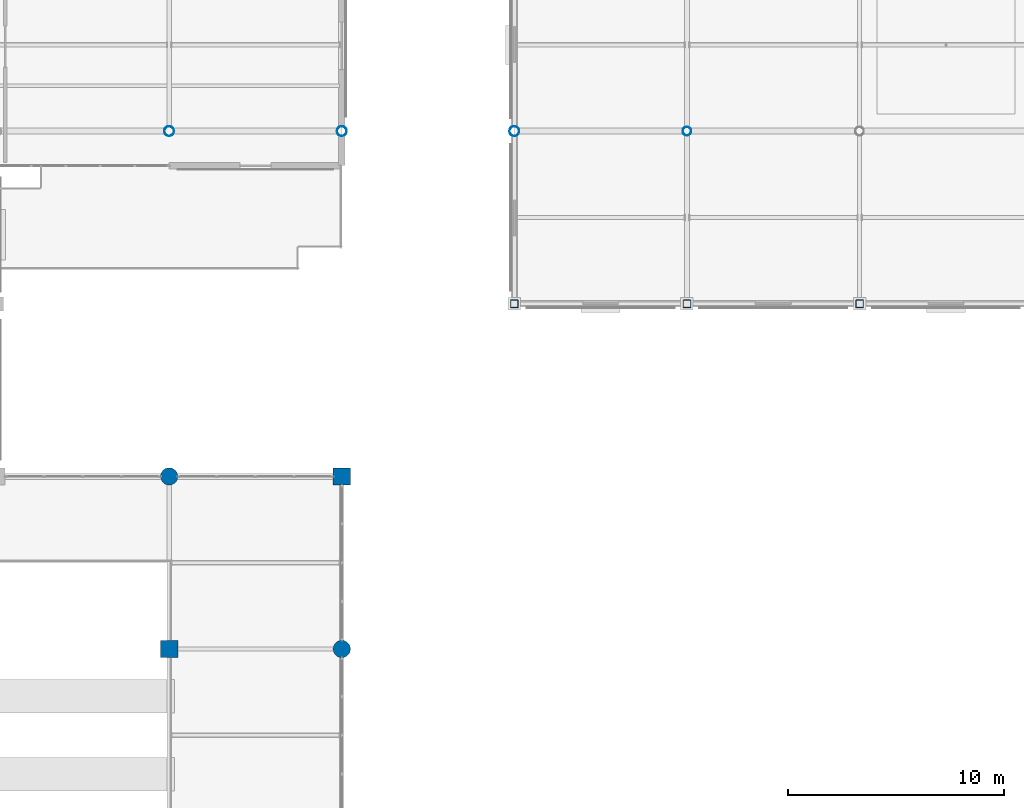
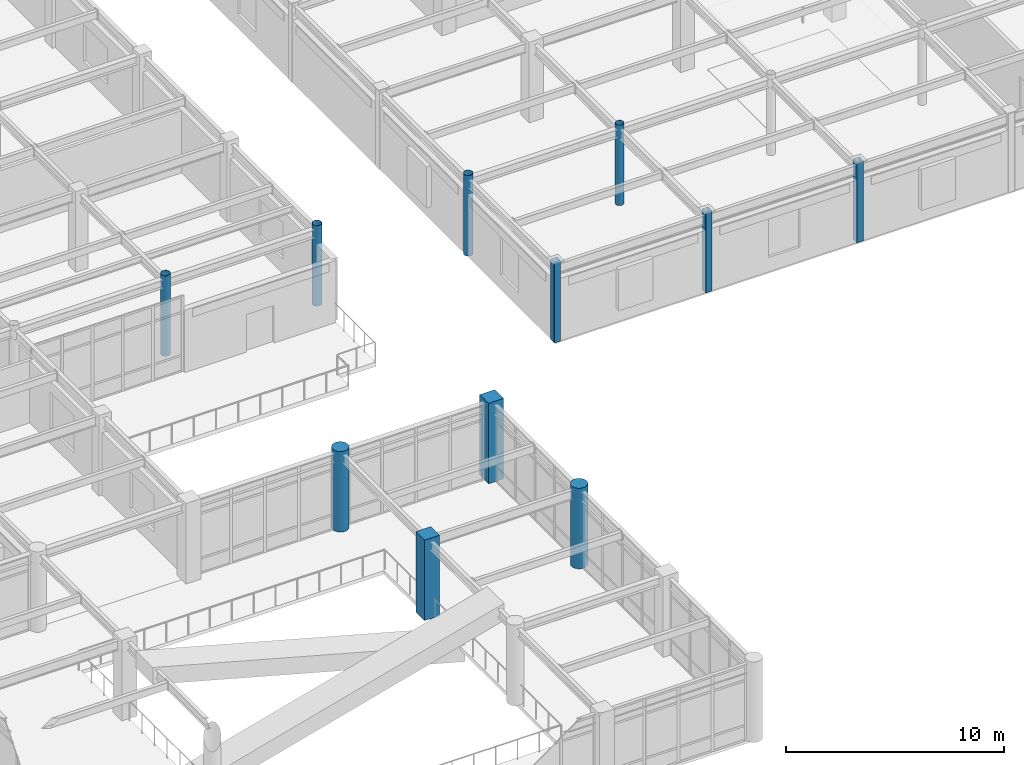
# One storey, part 12 of 93: 11 columns.
"""IFC4 building model written with IfcOpenShell, lengths in metres."""

from ifc_helpers import new_model, si_unit, direction, frame, origin, origin_2d, place, context, subcontext, project, spatial, rectangle, hollow_rectangle, circle, hollow_circle, extrude, material, material_profile, profile_set, type_object, element, save


model = new_model("IFC4")

# Units and contexts
model_context = context("Model", 3, precision=1e-05, world=origin(), true_north=direction((0.0, 1.0)))
body_context = subcontext(model_context, "Body", "Model", "MODEL_VIEW")
ifc_project = project(units=[si_unit("LENGTHUNIT", "METRE"), si_unit("AREAUNIT", "SQUARE_METRE"), si_unit("VOLUMEUNIT", "CUBIC_METRE"), si_unit("PLANEANGLEUNIT", "RADIAN"), si_unit("MASSUNIT", "GRAM", prefix="KILO")], contexts=[model_context])

# Site, building, storey
site_placement = place(None, origin())
site = spatial("IfcSite", under=ifc_project, at=site_placement, CompositionType="ELEMENT")
building_placement = place(site_placement, origin())
building = spatial("IfcBuilding", under=site, at=building_placement, Name="Solmirada Galleria", CompositionType="ELEMENT")
storey_placement = place(building_placement, frame((0.0, 0.0, 14.89990234375)))
storey = spatial("IfcBuildingStorey", under=building, at=storey_placement, Name="L03", CompositionType="ELEMENT", Elevation=14.89990234375)

# Columns
ifc_material_1 = material(Name="Steel S355 / ASTM A500 Grade C", Category="steel")
ifc_material_profile_1 = material_profile(ifc_material_1, hollow_circle(Radius=0.202880859375, WallThickness=0.01171875, at=origin_2d()), Name="HSS16.000X0.500")
ifc_profile_set_1 = profile_set([ifc_material_profile_1], Name="Steel S355 / ASTM A500 Grade C")
column_type_1 = type_object("IfcColumnType", Name="COL-CHS16", PredefinedType="COLUMN", material=ifc_profile_set_1)
column_placement = place(storey_placement, frame((128.0, 88.0, 0.0), z_axis=(0.0, 0.0, 1.0), x_axis=(1.0, 0.0, 0.0)))
element("IfcColumn", 1, at=column_placement, inside=storey, type_object=column_type_1, Name="Structural column L03-1063", PredefinedType="COLUMN", context=body_context, shape_type="SweptSolid", body=[
    extrude(hollow_circle(Radius=0.202880859375, WallThickness=0.01171875, at=origin_2d()), origin(), (0.0, 0.0, 1.0), 4.5),
])
ifc_material_profile_2 = material_profile(ifc_material_1, hollow_circle(Radius=0.228515625, WallThickness=0.01171875, at=origin_2d()), Name="HSS18.000X0.500")
ifc_profile_set_2 = profile_set([ifc_material_profile_2], Name="Steel S355 / ASTM A500 Grade C")
column_type_2 = type_object("IfcColumnType", Name="COL-CHS18", PredefinedType="COLUMN", material=ifc_profile_set_2)
for number, where, z_axis, x_axis, name in (
    (2, (104.0, 88.0, 0.0), (0.0, 0.0, 1.0), (1.0, 0.0, 0.0), "Structural column L03-0773"),
    (3, (112.0, 88.0, 0.0), (0.0, 0.0, 1.0), (1.0, 0.0, 0.0), "Structural column L03-0889"),
    (4, (120.0, 88.0, 0.0), (0.0, 0.0, 1.0), (1.0, 0.0, 0.0), "Structural column L03-0980"),
):
    element("IfcColumn", number, at=place(storey_placement, frame(where, z_axis=z_axis, x_axis=x_axis)), inside=storey, type_object=column_type_2, Name=name, PredefinedType="COLUMN", context=body_context, shape_type="SweptSolid", body=[
        extrude(hollow_circle(Radius=0.228515625, WallThickness=0.01171875, at=origin_2d()), origin(), (0.0, 0.0, 1.0), 4.5),
    ])
ifc_material_2 = material(Name="Concrete C40/50", Category="concrete")
ifc_material_profile_3 = material_profile(ifc_material_2, circle(Radius=0.39990234375, at=origin_2d()), Name="RCCOL800")
ifc_profile_set_3 = profile_set([ifc_material_profile_3], Name="Concrete C40/50")
column_type_3 = type_object("IfcColumnType", Name="COL-CIR800", PredefinedType="COLUMN", material=ifc_profile_set_3)
for number, where, z_axis, x_axis, name in (
    (5, (104.0, 72.0, 0.0), (0.0, 0.0, 1.0), (1.0, 0.0, 0.0), "Structural column L03-0760"),
    (6, (112.0, 64.0, 0.0), (0.0, 0.0, 1.0), (1.0, 0.0, 0.0), "Structural column L03-0867"),
):
    element("IfcColumn", number, at=place(storey_placement, frame(where, z_axis=z_axis, x_axis=x_axis)), inside=storey, type_object=column_type_3, Name=name, PredefinedType="COLUMN", context=body_context, shape_type="SweptSolid", body=[
        extrude(circle(Radius=0.39990234375, at=origin_2d()), origin(), (0.0, 0.0, 1.0), 4.5),
    ])
ifc_material_profile_4 = material_profile(ifc_material_1, hollow_rectangle(XDim=0.35595703125, YDim=0.35595703125, WallThickness=0.01171875, InnerFilletRadius=0.01171875, OuterFilletRadius=0.023681640625, at=origin_2d()), Name="HSS14X14X1/2")
ifc_profile_set_4 = profile_set([ifc_material_profile_4], Name="Steel S355 / ASTM A500 Grade C")
column_type_4 = type_object("IfcColumnType", Name="COL-HSS14", PredefinedType="COLUMN", material=ifc_profile_set_4)
for number, where, z_axis, x_axis, name in (
    (7, (120.0, 80.0, 0.0), (0.0, 0.0, 1.0), (1.0, 0.0, 0.0), "Structural column L03-0975"),
    (8, (128.0, 80.0, 0.0), (0.0, 0.0, 1.0), (1.0, 0.0, 0.0), "Structural column L03-1058"),
    (9, (136.0, 80.0, 0.0), (0.0, 0.0, 1.0), (1.0, 0.0, 0.0), "Structural column L03-1159"),
):
    element("IfcColumn", number, at=place(storey_placement, frame(where, z_axis=z_axis, x_axis=x_axis)), inside=storey, type_object=column_type_4, Name=name, PredefinedType="COLUMN", context=body_context, shape_type="SweptSolid", body=[
        extrude(hollow_rectangle(XDim=0.35595703125, YDim=0.35595703125, WallThickness=0.01171875, InnerFilletRadius=0.01171875, OuterFilletRadius=0.023681640625, at=origin_2d()), origin(), (0.0, 0.0, 1.0), 4.5),
    ])
ifc_material_profile_5 = material_profile(ifc_material_2, rectangle(XDim=0.800048828125, YDim=0.800048828125, at=origin_2d()), Name="RC800X800")
ifc_profile_set_5 = profile_set([ifc_material_profile_5], Name="Concrete C40/50")
column_type_5 = type_object("IfcColumnType", Name="COL-RC800", PredefinedType="COLUMN", material=ifc_profile_set_5)
for number, where, z_axis, x_axis, name in (
    (10, (104.0, 64.0, 0.0), (0.0, 0.0, 1.0), (1.0, 0.0, 0.0), "Structural column L03-0753"),
    (11, (112.0, 72.0, 0.0), (0.0, 0.0, 1.0), (1.0, 0.0, 0.0), "Structural column L03-0876"),
):
    element("IfcColumn", number, at=place(storey_placement, frame(where, z_axis=z_axis, x_axis=x_axis)), inside=storey, type_object=column_type_5, Name=name, PredefinedType="COLUMN", context=body_context, shape_type="SweptSolid", body=[
        extrude(rectangle(XDim=0.800048828125, YDim=0.800048828125, at=origin_2d()), origin(), (0.0, 0.0, 1.0), 4.5),
    ])

save(model, "model.ifc")
